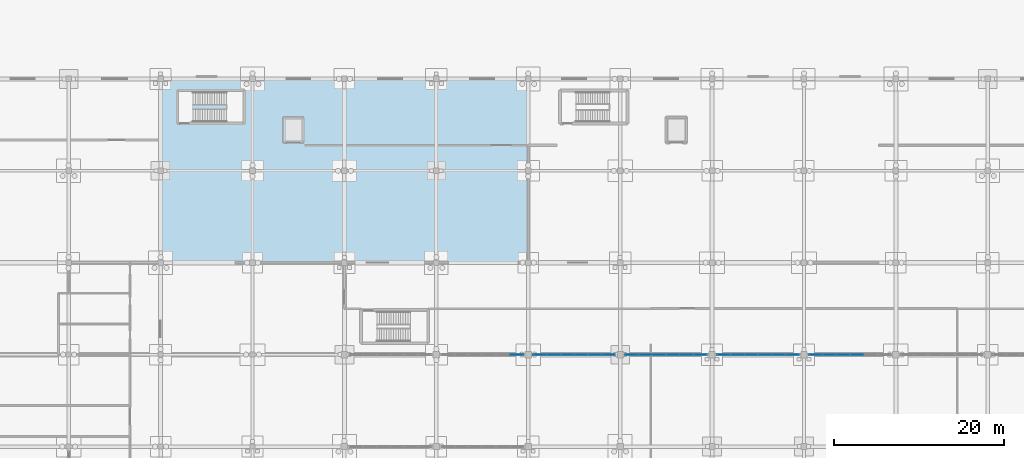
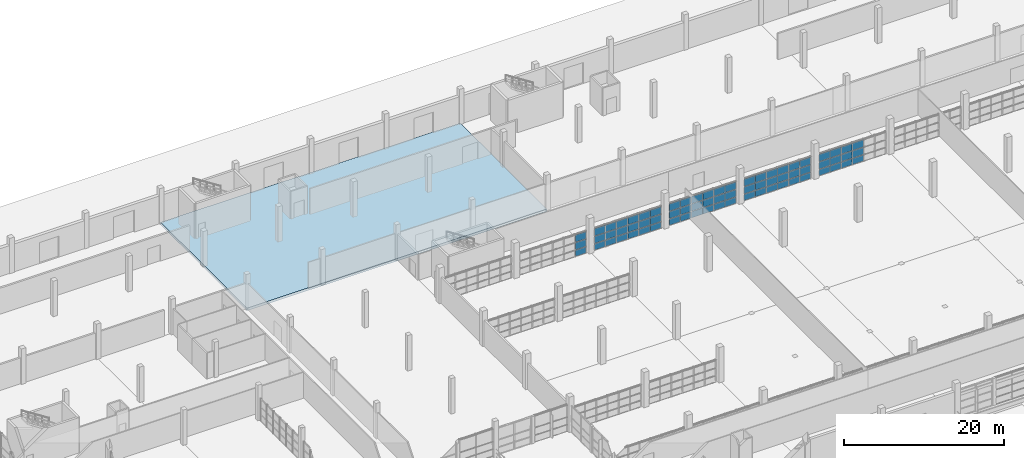
# One storey, part 91 of 138: 69 plates, 1 slab, 5 elements without a shape of their own.
"""IFC4 building model written with IfcOpenShell, lengths in metres."""

import ifcopenshell
import ifcopenshell.guid

model = None  # the IFC model being written
_history = None  # IfcOwnerHistory: only IFC2X3 demands one
_inside = {}  # id of a spatial element -> (the spatial element, [elements in it])
_under = {}  # id of a project, library or spatial element -> (it, [spatial elements below it])
_declared = {}  # id of a project -> (the project, [libraries it declares])
_typed = {}  # id of a type object -> (the type object, [elements of that type])
_made_of = {}  # id of a material, layer set ... -> (it, [elements and type objects made of it])


def new_model(schema):
    """Start an empty IFC model of exactly this schema.

    Asked for "IFC4X3", IfcOpenShell would pick the latest addendum, in which some entities
    have other attributes; the version numbers below select the first issue.
    IFC2X3 requires an IfcOwnerHistory on every rooted entity: one is made here for all.
    """
    global model, _history
    if schema == "IFC4X3":
        model = ifcopenshell.file(schema_version=(4, 3, 0, 0))
    else:
        model = ifcopenshell.file(schema=schema)
    _inside.clear()
    _under.clear()
    _declared.clear()
    _typed.clear()
    _made_of.clear()
    _history = None
    if model.schema == "IFC2X3":
        org = make("IfcOrganization", Name="unknown")
        user = make(
            "IfcPersonAndOrganization",
            ThePerson=make("IfcPerson", FamilyName="unknown"),
            TheOrganization=org,
        )
        app = make(
            "IfcApplication",
            ApplicationDeveloper=org,
            Version="unknown",
            ApplicationFullName="unknown",
            ApplicationIdentifier="unknown",
        )
        _history = make(
            "IfcOwnerHistory",
            OwningUser=user,
            OwningApplication=app,
            ChangeAction="ADDED",
            CreationDate=0,
        )
    return model


def make(cls, **values):
    """One entity of the class cls with the attributes given. An attribute that is None is left unset."""
    return model.create_entity(
        cls, **{name: value for name, value in values.items() if value is not None}
    )


def rooted(cls, **values):
    """An entity with a GlobalId (a new one), such as an element, a storey or a relation."""
    return make(cls, GlobalId=ifcopenshell.guid.new(), OwnerHistory=_history, **values)


def si_unit(unit_type, name, prefix=None):
    """IfcSIUnit, for example si_unit("LENGTHUNIT", "METRE", prefix="MILLI")."""
    return make("IfcSIUnit", UnitType=unit_type, Prefix=prefix, Name=name)


def assignment(units):
    """IfcUnitAssignment: the units of a project."""
    return None if units is None else make("IfcUnitAssignment", Units=units)


def point(xyz):
    """IfcCartesianPoint."""
    return None if xyz is None else make("IfcCartesianPoint", Coordinates=xyz)


def direction(xyz):
    """IfcDirection."""
    return None if xyz is None else make("IfcDirection", DirectionRatios=xyz)


def frame(location, z_axis=None, x_axis=None):
    """IfcAxis2Placement3D, a coordinate frame: its origin and axes. An axis left out is left unset."""
    return make(
        "IfcAxis2Placement3D",
        Location=point(location),
        Axis=direction(z_axis),
        RefDirection=direction(x_axis),
    )


def frame_2d(location, x_axis=None):
    """IfcAxis2Placement2D, a coordinate frame in the plane: its origin and x axis."""
    return make(
        "IfcAxis2Placement2D", Location=point(location), RefDirection=direction(x_axis)
    )


def origin():
    """The frame at (0, 0, 0) with its axes left unset."""
    return frame((0.0, 0.0, 0.0))


def origin_2d():
    """The frame at (0, 0) in the plane with its x axis left unset."""
    return frame_2d((0.0, 0.0))


def place(relative_to, where):
    """IfcLocalPlacement: puts the frame where relative to a parent placement (None: the world)."""
    return make(
        "IfcLocalPlacement", PlacementRelTo=relative_to, RelativePlacement=where
    )


def context(
    kind, dimensions, precision=None, world=None, true_north=None, identifier=None
):
    """IfcGeometricRepresentationContext, for example the 3D "Model" context."""
    return make(
        "IfcGeometricRepresentationContext",
        ContextIdentifier=identifier,
        ContextType=kind,
        CoordinateSpaceDimension=dimensions,
        Precision=precision,
        WorldCoordinateSystem=world,
        TrueNorth=true_north,
    )


def subcontext(parent, identifier, kind, view, scale=None):
    """IfcGeometricRepresentationSubContext, for example "Body" below "Model"."""
    return make(
        "IfcGeometricRepresentationSubContext",
        ContextIdentifier=identifier,
        ContextType=kind,
        ParentContext=parent,
        TargetScale=scale,
        TargetView=view,
    )


def project(units=None, contexts=None):
    """IfcProject with its units and contexts."""
    return rooted(
        "IfcProject",
        Name="project",
        RepresentationContexts=contexts,
        UnitsInContext=assignment(units),
    )


def spatial(cls, under=None, at=None, **own):
    """A site, building, storey or space (cls), placed at a placement, below another one or the project."""
    s = rooted(cls, ObjectPlacement=at, **own)
    if under is not None:
        _under.setdefault(under.id(), (under, []))[1].append(s)
    return s


def polyline(points):
    """IfcPolyline through the points."""
    return make("IfcPolyline", Points=[point(p) for p in points])


def profile(cls, at=None, kind="AREA", **sizes):
    """A parametric profile (cls). Its sizes go by their IFC names, for example OverallWidth=200.0."""
    return make(cls, ProfileType=kind, Position=at, **sizes)


def rectangle(**sizes):
    """IfcRectangleProfileDef."""
    return profile("IfcRectangleProfileDef", **sizes)


def outline(outer, holes=None, kind="AREA"):
    """IfcArbitraryClosedProfileDef: a profile drawn as a closed curve; with holes, ...WithVoids."""
    if holes is None:
        return make("IfcArbitraryClosedProfileDef", ProfileType=kind, OuterCurve=outer)
    return make(
        "IfcArbitraryProfileDefWithVoids",
        ProfileType=kind,
        OuterCurve=outer,
        InnerCurves=holes,
    )


def extrude(swept, where, along, depth):
    """IfcExtrudedAreaSolid: the profile swept, set in the frame where, extruded along a direction by depth."""
    return make(
        "IfcExtrudedAreaSolid",
        SweptArea=swept,
        Position=where,
        ExtrudedDirection=direction(along),
        Depth=depth,
    )


def shape(context_of_items, identifier, shape_type, items):
    """IfcShapeRepresentation: the items that make up one representation, for example the "Body"."""
    return make(
        "IfcShapeRepresentation",
        ContextOfItems=context_of_items,
        RepresentationIdentifier=identifier,
        RepresentationType=shape_type,
        Items=items,
    )


def material(Name=None, Category=None):
    """IfcMaterial."""
    return make("IfcMaterial", Name=Name, Category=Category)


def layer(
    of_material, thickness, ventilated=None, Name=None, Category=None, Priority=None
):
    """IfcMaterialLayer: one layer of a wall or slab, of a material (None: an air gap)."""
    return make(
        "IfcMaterialLayer",
        Material=of_material,
        LayerThickness=thickness,
        IsVentilated=ventilated,
        Name=Name,
        Category=Category,
        Priority=Priority,
    )


def layer_set(layers, Name=None):
    """IfcMaterialLayerSet."""
    return make("IfcMaterialLayerSet", MaterialLayers=layers, LayerSetName=Name)


def made_of(thing, what):
    """Note that an element or type object is made of a material, layer set ...; save() writes the relation."""
    if what is not None:
        _made_of.setdefault(what.id(), (what, []))[1].append(thing)
    return thing


def type_object(cls, material=None, **own):
    """A type object (cls), such as IfcWallType, which elements share."""
    return made_of(rooted(cls, **own), material)


def element(
    cls,
    number,
    at=None,
    inside=None,
    cuts=None,
    type_object=None,
    material=None,
    context=None,
    identifier="Body",
    shape_type=None,
    held_by="IfcProductDefinitionShape",
    body=None,
    shapes=None,
    **own,
):
    """One element of the class cls, such as IfcWall. Its Tag is "e" and its number.

    at: its placement. inside: the storey or other place that contains it. cuts: it is an
    opening in that element (IfcRelVoidsElement). A single representation is given by context,
    identifier, shape_type and body (its items); several are given by shapes. held_by: the class
    of the entity that holds the representations. save() writes the other relations.
    """
    e = rooted(cls, Tag="e%d" % number, ObjectPlacement=at, **own)
    if body is not None:
        shapes = [shape(context, identifier, shape_type, body)]
    if shapes is not None:
        e.Representation = make(held_by, Representations=shapes)
    if inside is not None:
        _inside.setdefault(inside.id(), (inside, []))[1].append(e)
    if cuts is not None:
        rooted(
            "IfcRelVoidsElement", RelatingBuildingElement=cuts, RelatedOpeningElement=e
        )
    if type_object is not None:
        _typed.setdefault(type_object.id(), (type_object, []))[1].append(e)
    return made_of(e, material)


def aggregate(whole, parts):
    """IfcRelAggregates: a whole, such as a stair, and the parts it consists of."""
    return rooted("IfcRelAggregates", RelatingObject=whole, RelatedObjects=parts)


def save(model, path):
    """Write the relations noted so far, then the file.

    IfcRelAggregates (storeys below a building ...), IfcRelContainedInSpatialStructure (elements
    in a storey), IfcRelDefinesByType, IfcRelAssociatesMaterial and IfcRelDeclares: one each for
    every whole, place, type object, material and project.
    """
    for whole, parts in _under.values():
        aggregate(whole, parts)
    for where, things in _inside.values():
        rooted(
            "IfcRelContainedInSpatialStructure",
            RelatedElements=things,
            RelatingStructure=where,
        )
    for kind, things in _typed.values():
        rooted("IfcRelDefinesByType", RelatedObjects=things, RelatingType=kind)
    for what, things in _made_of.values():
        rooted("IfcRelAssociatesMaterial", RelatedObjects=things, RelatingMaterial=what)
    for by, libraries in _declared.values():
        rooted("IfcRelDeclares", RelatingContext=by, RelatedDefinitions=libraries)
    model.write(path)


model = new_model("IFC4")

# Units and contexts
model_context = context("Model", 3, precision=1e-05, world=origin(), true_north=direction((0.0, 1.0)))
body_context = subcontext(model_context, "Body", "Model", "MODEL_VIEW")
ifc_project = project(units=[si_unit("LENGTHUNIT", "METRE"), si_unit("AREAUNIT", "SQUARE_METRE"), si_unit("VOLUMEUNIT", "CUBIC_METRE"), si_unit("PLANEANGLEUNIT", "RADIAN"), si_unit("MASSUNIT", "GRAM", prefix="KILO")], contexts=[model_context])

# Site, building, storey
site_placement = place(None, origin())
site = spatial("IfcSite", under=ifc_project, at=site_placement, CompositionType="ELEMENT")
building_placement = place(site_placement, origin())
building = spatial("IfcBuilding", under=site, at=building_placement, Name="Zwinboog Wholesale Market", CompositionType="ELEMENT")
storey_placement = place(building_placement, origin())
storey = spatial("IfcBuildingStorey", under=building, at=storey_placement, Name="L00", CompositionType="ELEMENT", Elevation=0.0)

# Slab
ifc_material_1 = material(Name="Precast concrete C45/55", Category="concrete")
ifc_layer_1 = layer(ifc_material_1, 0.3798828125)
ifc_layer_set_1 = layer_set([ifc_layer_1], Name="Precast concrete C45/55")
slab_type = type_object("IfcSlabType", Name="SLT-BS-380", PredefinedType="BASESLAB", material=ifc_layer_set_1)
slab_placement = place(storey_placement, frame((0.0, 0.0, -0.3798828125)))
element("IfcSlab", 1, at=slab_placement, inside=storey, type_object=slab_type, Name="SB-380 (SLB-L00-017)", PredefinedType="BASESLAB", context=body_context, shape_type="SweptSolid", body=[
    extrude(outline(polyline([(43.199951171875, 108.0), (86.39990234375, 108.0), (86.39990234375, 129.60009765625), (43.199951171875, 129.60009765625), (43.199951171875, 108.0)])), origin(), (0.0, 0.0, 1.0), 0.3798828125),
])

# Curtain wall, plates
ifc_material_2 = material(Name="Aluminium thermally broken curtain wall", Category="aluminium")
curtain_wall_type = type_object("IfcCurtainWallType", Name="CWT-INT-STALL", PredefinedType="USERDEFINED", material=ifc_material_2)
curtain_wall_1_placement = place(storey_placement, origin())
curtain_wall_1 = element("IfcCurtainWall", 2, at=curtain_wall_1_placement, inside=storey, type_object=curtain_wall_type, Name="CW-07 (CW-STL-200)", ObjectType="STOREFRONT_GLAZING", PredefinedType="USERDEFINED")
ifc_material_3 = material(Name="Tempered laminated market stall glazing", Category="glass")
ifc_layer_2 = layer(ifc_material_3, 0.01611328125)
ifc_layer_set_2 = layer_set([ifc_layer_2], Name="Tempered laminated market stall glazing")
plate_type = type_object("IfcPlateType", Name="CWP-INT-16", PredefinedType="CURTAIN_PANEL", material=ifc_layer_set_2)
plate_1_placement = place(storey_placement, frame((85.026611328125, 97.199951171875, 0.06005859375), z_axis=(0.0, 0.0, 1.0), x_axis=(1.0, 0.0, 0.0)))
plate_1 = element("IfcPlate", 3, at=plate_1_placement, type_object=plate_type, Name="CW-07 panel 6.1", PredefinedType="CURTAIN_PANEL", context=body_context, shape_type="SweptSolid", body=[
    extrude(rectangle(XDim=1.526611328125, YDim=0.01611328125, at=origin_2d()), origin(), (0.0, 0.0, 1.0), 0.9599609375),
])
plate_2_placement = place(storey_placement, frame((85.026611328125, 97.199951171875, 1.080078125), z_axis=(0.0, 0.0, 1.0), x_axis=(1.0, 0.0, 0.0)))
plate_2 = element("IfcPlate", 4, at=plate_2_placement, type_object=plate_type, Name="CW-07 panel 6.2", PredefinedType="CURTAIN_PANEL", context=body_context, shape_type="SweptSolid", body=[
    extrude(rectangle(XDim=1.526611328125, YDim=0.01611328125, at=origin_2d()), origin(), (0.0, 0.0, 1.0), 1.090087890625),
])
plate_3_placement = place(storey_placement, frame((85.026611328125, 97.199951171875, 2.22998046875), z_axis=(0.0, 0.0, 1.0), x_axis=(1.0, 0.0, 0.0)))
plate_3 = element("IfcPlate", 5, at=plate_3_placement, type_object=plate_type, Name="CW-07 panel 6.3", PredefinedType="CURTAIN_PANEL", context=body_context, shape_type="SweptSolid", body=[
    extrude(rectangle(XDim=1.526611328125, YDim=0.01611328125, at=origin_2d()), origin(), (0.0, 0.0, 1.0), 1.110107421875),
])
aggregate(curtain_wall_1, [plate_1, plate_2, plate_3])

curtain_wall_2_placement = place(storey_placement, origin())
curtain_wall_2 = element("IfcCurtainWall", 6, at=curtain_wall_2_placement, inside=storey, type_object=curtain_wall_type, Name="CW-07 (CW-STL-201)", ObjectType="STOREFRONT_GLAZING", PredefinedType="USERDEFINED")
plate_4_placement = place(storey_placement, frame((87.7734375, 97.199951171875, 0.06005859375), z_axis=(0.0, 0.0, 1.0), x_axis=(1.0, 0.0, 0.0)))
plate_4 = element("IfcPlate", 7, at=plate_4_placement, type_object=plate_type, Name="CW-07 panel 1.1", PredefinedType="CURTAIN_PANEL", context=body_context, shape_type="SweptSolid", body=[
    extrude(rectangle(XDim=1.526611328125, YDim=0.01611328125, at=origin_2d()), origin(), (0.0, 0.0, 1.0), 0.9599609375),
])
plate_5_placement = place(storey_placement, frame((87.7734375, 97.199951171875, 1.080078125), z_axis=(0.0, 0.0, 1.0), x_axis=(1.0, 0.0, 0.0)))
plate_5 = element("IfcPlate", 8, at=plate_5_placement, type_object=plate_type, Name="CW-07 panel 1.2", PredefinedType="CURTAIN_PANEL", context=body_context, shape_type="SweptSolid", body=[
    extrude(rectangle(XDim=1.526611328125, YDim=0.01611328125, at=origin_2d()), origin(), (0.0, 0.0, 1.0), 1.090087890625),
])
plate_6_placement = place(storey_placement, frame((87.7734375, 97.199951171875, 2.22998046875), z_axis=(0.0, 0.0, 1.0), x_axis=(1.0, 0.0, 0.0)))
plate_6 = element("IfcPlate", 9, at=plate_6_placement, type_object=plate_type, Name="CW-07 panel 1.3", PredefinedType="CURTAIN_PANEL", context=body_context, shape_type="SweptSolid", body=[
    extrude(rectangle(XDim=1.526611328125, YDim=0.01611328125, at=origin_2d()), origin(), (0.0, 0.0, 1.0), 1.110107421875),
])
plate_7_placement = place(storey_placement, frame((89.375, 97.199951171875, 0.06005859375), z_axis=(0.0, 0.0, 1.0), x_axis=(1.0, 0.0, 0.0)))
plate_7 = element("IfcPlate", 10, at=plate_7_placement, type_object=plate_type, Name="CW-07 panel 2.1", PredefinedType="CURTAIN_PANEL", context=body_context, shape_type="SweptSolid", body=[
    extrude(rectangle(XDim=1.556640625, YDim=0.01611328125, at=origin_2d()), origin(), (0.0, 0.0, 1.0), 0.9599609375),
])
plate_8_placement = place(storey_placement, frame((89.375, 97.199951171875, 1.080078125), z_axis=(0.0, 0.0, 1.0), x_axis=(1.0, 0.0, 0.0)))
plate_8 = element("IfcPlate", 11, at=plate_8_placement, type_object=plate_type, Name="CW-07 panel 2.2", PredefinedType="CURTAIN_PANEL", context=body_context, shape_type="SweptSolid", body=[
    extrude(rectangle(XDim=1.556640625, YDim=0.01611328125, at=origin_2d()), origin(), (0.0, 0.0, 1.0), 1.090087890625),
])
plate_9_placement = place(storey_placement, frame((89.375, 97.199951171875, 2.22998046875), z_axis=(0.0, 0.0, 1.0), x_axis=(1.0, 0.0, 0.0)))
plate_9 = element("IfcPlate", 12, at=plate_9_placement, type_object=plate_type, Name="CW-07 panel 2.3", PredefinedType="CURTAIN_PANEL", context=body_context, shape_type="SweptSolid", body=[
    extrude(rectangle(XDim=1.556640625, YDim=0.01611328125, at=origin_2d()), origin(), (0.0, 0.0, 1.0), 1.110107421875),
])
plate_10_placement = place(storey_placement, frame((90.99169921875, 97.199951171875, 0.06005859375), z_axis=(0.0, 0.0, 1.0), x_axis=(1.0, 0.0, 0.0)))
plate_10 = element("IfcPlate", 13, at=plate_10_placement, type_object=plate_type, Name="CW-07 panel 3.1", PredefinedType="CURTAIN_PANEL", context=body_context, shape_type="SweptSolid", body=[
    extrude(rectangle(XDim=1.556640625, YDim=0.01611328125, at=origin_2d()), origin(), (0.0, 0.0, 1.0), 0.9599609375),
])
plate_11_placement = place(storey_placement, frame((90.99169921875, 97.199951171875, 1.080078125), z_axis=(0.0, 0.0, 1.0), x_axis=(1.0, 0.0, 0.0)))
plate_11 = element("IfcPlate", 14, at=plate_11_placement, type_object=plate_type, Name="CW-07 panel 3.2", PredefinedType="CURTAIN_PANEL", context=body_context, shape_type="SweptSolid", body=[
    extrude(rectangle(XDim=1.556640625, YDim=0.01611328125, at=origin_2d()), origin(), (0.0, 0.0, 1.0), 1.090087890625),
])
plate_12_placement = place(storey_placement, frame((90.99169921875, 97.199951171875, 2.22998046875), z_axis=(0.0, 0.0, 1.0), x_axis=(1.0, 0.0, 0.0)))
plate_12 = element("IfcPlate", 15, at=plate_12_placement, type_object=plate_type, Name="CW-07 panel 3.3", PredefinedType="CURTAIN_PANEL", context=body_context, shape_type="SweptSolid", body=[
    extrude(rectangle(XDim=1.556640625, YDim=0.01611328125, at=origin_2d()), origin(), (0.0, 0.0, 1.0), 1.110107421875),
])
plate_13_placement = place(storey_placement, frame((92.6083984375, 97.199951171875, 0.06005859375), z_axis=(0.0, 0.0, 1.0), x_axis=(1.0, 0.0, 0.0)))
plate_13 = element("IfcPlate", 16, at=plate_13_placement, type_object=plate_type, Name="CW-07 panel 4.1", PredefinedType="CURTAIN_PANEL", context=body_context, shape_type="SweptSolid", body=[
    extrude(rectangle(XDim=1.556640625, YDim=0.01611328125, at=origin_2d()), origin(), (0.0, 0.0, 1.0), 0.9599609375),
])
plate_14_placement = place(storey_placement, frame((92.6083984375, 97.199951171875, 1.080078125), z_axis=(0.0, 0.0, 1.0), x_axis=(1.0, 0.0, 0.0)))
plate_14 = element("IfcPlate", 17, at=plate_14_placement, type_object=plate_type, Name="CW-07 panel 4.2", PredefinedType="CURTAIN_PANEL", context=body_context, shape_type="SweptSolid", body=[
    extrude(rectangle(XDim=1.556640625, YDim=0.01611328125, at=origin_2d()), origin(), (0.0, 0.0, 1.0), 1.090087890625),
])
plate_15_placement = place(storey_placement, frame((92.6083984375, 97.199951171875, 2.22998046875), z_axis=(0.0, 0.0, 1.0), x_axis=(1.0, 0.0, 0.0)))
plate_15 = element("IfcPlate", 18, at=plate_15_placement, type_object=plate_type, Name="CW-07 panel 4.3", PredefinedType="CURTAIN_PANEL", context=body_context, shape_type="SweptSolid", body=[
    extrude(rectangle(XDim=1.556640625, YDim=0.01611328125, at=origin_2d()), origin(), (0.0, 0.0, 1.0), 1.110107421875),
])
plate_16_placement = place(storey_placement, frame((94.22509765625, 97.199951171875, 0.06005859375), z_axis=(0.0, 0.0, 1.0), x_axis=(1.0, 0.0, 0.0)))
plate_16 = element("IfcPlate", 19, at=plate_16_placement, type_object=plate_type, Name="CW-07 panel 5.1", PredefinedType="CURTAIN_PANEL", context=body_context, shape_type="SweptSolid", body=[
    extrude(rectangle(XDim=1.556640625, YDim=0.01611328125, at=origin_2d()), origin(), (0.0, 0.0, 1.0), 0.9599609375),
])
plate_17_placement = place(storey_placement, frame((94.22509765625, 97.199951171875, 1.080078125), z_axis=(0.0, 0.0, 1.0), x_axis=(1.0, 0.0, 0.0)))
plate_17 = element("IfcPlate", 20, at=plate_17_placement, type_object=plate_type, Name="CW-07 panel 5.2", PredefinedType="CURTAIN_PANEL", context=body_context, shape_type="SweptSolid", body=[
    extrude(rectangle(XDim=1.556640625, YDim=0.01611328125, at=origin_2d()), origin(), (0.0, 0.0, 1.0), 1.090087890625),
])
plate_18_placement = place(storey_placement, frame((94.22509765625, 97.199951171875, 2.22998046875), z_axis=(0.0, 0.0, 1.0), x_axis=(1.0, 0.0, 0.0)))
plate_18 = element("IfcPlate", 21, at=plate_18_placement, type_object=plate_type, Name="CW-07 panel 5.3", PredefinedType="CURTAIN_PANEL", context=body_context, shape_type="SweptSolid", body=[
    extrude(rectangle(XDim=1.556640625, YDim=0.01611328125, at=origin_2d()), origin(), (0.0, 0.0, 1.0), 1.110107421875),
])
plate_19_placement = place(storey_placement, frame((95.82666015625, 97.199951171875, 0.06005859375), z_axis=(0.0, 0.0, 1.0), x_axis=(1.0, 0.0, 0.0)))
plate_19 = element("IfcPlate", 22, at=plate_19_placement, type_object=plate_type, Name="CW-07 panel 6.1", PredefinedType="CURTAIN_PANEL", context=body_context, shape_type="SweptSolid", body=[
    extrude(rectangle(XDim=1.526611328125, YDim=0.01611328125, at=origin_2d()), origin(), (0.0, 0.0, 1.0), 0.9599609375),
])
plate_20_placement = place(storey_placement, frame((95.82666015625, 97.199951171875, 1.080078125), z_axis=(0.0, 0.0, 1.0), x_axis=(1.0, 0.0, 0.0)))
plate_20 = element("IfcPlate", 23, at=plate_20_placement, type_object=plate_type, Name="CW-07 panel 6.2", PredefinedType="CURTAIN_PANEL", context=body_context, shape_type="SweptSolid", body=[
    extrude(rectangle(XDim=1.526611328125, YDim=0.01611328125, at=origin_2d()), origin(), (0.0, 0.0, 1.0), 1.090087890625),
])
plate_21_placement = place(storey_placement, frame((95.82666015625, 97.199951171875, 2.22998046875), z_axis=(0.0, 0.0, 1.0), x_axis=(1.0, 0.0, 0.0)))
plate_21 = element("IfcPlate", 24, at=plate_21_placement, type_object=plate_type, Name="CW-07 panel 6.3", PredefinedType="CURTAIN_PANEL", context=body_context, shape_type="SweptSolid", body=[
    extrude(rectangle(XDim=1.526611328125, YDim=0.01611328125, at=origin_2d()), origin(), (0.0, 0.0, 1.0), 1.110107421875),
])
aggregate(curtain_wall_2, [plate_4, plate_5, plate_6, plate_7, plate_8, plate_9, plate_10, plate_11, plate_12, plate_13, plate_14, plate_15, plate_16, plate_17, plate_18, plate_19, plate_20, plate_21])

curtain_wall_3_placement = place(storey_placement, origin())
curtain_wall_3 = element("IfcCurtainWall", 25, at=curtain_wall_3_placement, inside=storey, type_object=curtain_wall_type, Name="CW-07 (CW-STL-202)", ObjectType="STOREFRONT_GLAZING", PredefinedType="USERDEFINED")
plate_22_placement = place(storey_placement, frame((98.5732421875, 97.199951171875, 0.06005859375), z_axis=(0.0, 0.0, 1.0), x_axis=(1.0, 0.0, 0.0)))
plate_22 = element("IfcPlate", 26, at=plate_22_placement, type_object=plate_type, Name="CW-07 panel 1.1", PredefinedType="CURTAIN_PANEL", context=body_context, shape_type="SweptSolid", body=[
    extrude(rectangle(XDim=1.526611328125, YDim=0.01611328125, at=origin_2d()), origin(), (0.0, 0.0, 1.0), 0.9599609375),
])
plate_23_placement = place(storey_placement, frame((98.5732421875, 97.199951171875, 1.080078125), z_axis=(0.0, 0.0, 1.0), x_axis=(1.0, 0.0, 0.0)))
plate_23 = element("IfcPlate", 27, at=plate_23_placement, type_object=plate_type, Name="CW-07 panel 1.2", PredefinedType="CURTAIN_PANEL", context=body_context, shape_type="SweptSolid", body=[
    extrude(rectangle(XDim=1.526611328125, YDim=0.01611328125, at=origin_2d()), origin(), (0.0, 0.0, 1.0), 1.090087890625),
])
plate_24_placement = place(storey_placement, frame((98.5732421875, 97.199951171875, 2.22998046875), z_axis=(0.0, 0.0, 1.0), x_axis=(1.0, 0.0, 0.0)))
plate_24 = element("IfcPlate", 28, at=plate_24_placement, type_object=plate_type, Name="CW-07 panel 1.3", PredefinedType="CURTAIN_PANEL", context=body_context, shape_type="SweptSolid", body=[
    extrude(rectangle(XDim=1.526611328125, YDim=0.01611328125, at=origin_2d()), origin(), (0.0, 0.0, 1.0), 1.110107421875),
])
plate_25_placement = place(storey_placement, frame((100.175048828125, 97.199951171875, 0.06005859375), z_axis=(0.0, 0.0, 1.0), x_axis=(1.0, 0.0, 0.0)))
plate_25 = element("IfcPlate", 29, at=plate_25_placement, type_object=plate_type, Name="CW-07 panel 2.1", PredefinedType="CURTAIN_PANEL", context=body_context, shape_type="SweptSolid", body=[
    extrude(rectangle(XDim=1.556640625, YDim=0.01611328125, at=origin_2d()), origin(), (0.0, 0.0, 1.0), 0.9599609375),
])
plate_26_placement = place(storey_placement, frame((100.175048828125, 97.199951171875, 1.080078125), z_axis=(0.0, 0.0, 1.0), x_axis=(1.0, 0.0, 0.0)))
plate_26 = element("IfcPlate", 30, at=plate_26_placement, type_object=plate_type, Name="CW-07 panel 2.2", PredefinedType="CURTAIN_PANEL", context=body_context, shape_type="SweptSolid", body=[
    extrude(rectangle(XDim=1.556640625, YDim=0.01611328125, at=origin_2d()), origin(), (0.0, 0.0, 1.0), 1.090087890625),
])
plate_27_placement = place(storey_placement, frame((100.175048828125, 97.199951171875, 2.22998046875), z_axis=(0.0, 0.0, 1.0), x_axis=(1.0, 0.0, 0.0)))
plate_27 = element("IfcPlate", 31, at=plate_27_placement, type_object=plate_type, Name="CW-07 panel 2.3", PredefinedType="CURTAIN_PANEL", context=body_context, shape_type="SweptSolid", body=[
    extrude(rectangle(XDim=1.556640625, YDim=0.01611328125, at=origin_2d()), origin(), (0.0, 0.0, 1.0), 1.110107421875),
])
plate_28_placement = place(storey_placement, frame((101.791748046875, 97.199951171875, 0.06005859375), z_axis=(0.0, 0.0, 1.0), x_axis=(1.0, 0.0, 0.0)))
plate_28 = element("IfcPlate", 32, at=plate_28_placement, type_object=plate_type, Name="CW-07 panel 3.1", PredefinedType="CURTAIN_PANEL", context=body_context, shape_type="SweptSolid", body=[
    extrude(rectangle(XDim=1.556640625, YDim=0.01611328125, at=origin_2d()), origin(), (0.0, 0.0, 1.0), 0.9599609375),
])
plate_29_placement = place(storey_placement, frame((101.791748046875, 97.199951171875, 1.080078125), z_axis=(0.0, 0.0, 1.0), x_axis=(1.0, 0.0, 0.0)))
plate_29 = element("IfcPlate", 33, at=plate_29_placement, type_object=plate_type, Name="CW-07 panel 3.2", PredefinedType="CURTAIN_PANEL", context=body_context, shape_type="SweptSolid", body=[
    extrude(rectangle(XDim=1.556640625, YDim=0.01611328125, at=origin_2d()), origin(), (0.0, 0.0, 1.0), 1.090087890625),
])
plate_30_placement = place(storey_placement, frame((101.791748046875, 97.199951171875, 2.22998046875), z_axis=(0.0, 0.0, 1.0), x_axis=(1.0, 0.0, 0.0)))
plate_30 = element("IfcPlate", 34, at=plate_30_placement, type_object=plate_type, Name="CW-07 panel 3.3", PredefinedType="CURTAIN_PANEL", context=body_context, shape_type="SweptSolid", body=[
    extrude(rectangle(XDim=1.556640625, YDim=0.01611328125, at=origin_2d()), origin(), (0.0, 0.0, 1.0), 1.110107421875),
])
plate_31_placement = place(storey_placement, frame((103.408447265625, 97.199951171875, 0.06005859375), z_axis=(0.0, 0.0, 1.0), x_axis=(1.0, 0.0, 0.0)))
plate_31 = element("IfcPlate", 35, at=plate_31_placement, type_object=plate_type, Name="CW-07 panel 4.1", PredefinedType="CURTAIN_PANEL", context=body_context, shape_type="SweptSolid", body=[
    extrude(rectangle(XDim=1.556640625, YDim=0.01611328125, at=origin_2d()), origin(), (0.0, 0.0, 1.0), 0.9599609375),
])
plate_32_placement = place(storey_placement, frame((103.408447265625, 97.199951171875, 1.080078125), z_axis=(0.0, 0.0, 1.0), x_axis=(1.0, 0.0, 0.0)))
plate_32 = element("IfcPlate", 36, at=plate_32_placement, type_object=plate_type, Name="CW-07 panel 4.2", PredefinedType="CURTAIN_PANEL", context=body_context, shape_type="SweptSolid", body=[
    extrude(rectangle(XDim=1.556640625, YDim=0.01611328125, at=origin_2d()), origin(), (0.0, 0.0, 1.0), 1.090087890625),
])
plate_33_placement = place(storey_placement, frame((103.408447265625, 97.199951171875, 2.22998046875), z_axis=(0.0, 0.0, 1.0), x_axis=(1.0, 0.0, 0.0)))
plate_33 = element("IfcPlate", 37, at=plate_33_placement, type_object=plate_type, Name="CW-07 panel 4.3", PredefinedType="CURTAIN_PANEL", context=body_context, shape_type="SweptSolid", body=[
    extrude(rectangle(XDim=1.556640625, YDim=0.01611328125, at=origin_2d()), origin(), (0.0, 0.0, 1.0), 1.110107421875),
])
plate_34_placement = place(storey_placement, frame((105.02490234375, 97.199951171875, 0.06005859375), z_axis=(0.0, 0.0, 1.0), x_axis=(1.0, 0.0, 0.0)))
plate_34 = element("IfcPlate", 38, at=plate_34_placement, type_object=plate_type, Name="CW-07 panel 5.1", PredefinedType="CURTAIN_PANEL", context=body_context, shape_type="SweptSolid", body=[
    extrude(rectangle(XDim=1.556640625, YDim=0.01611328125, at=origin_2d()), origin(), (0.0, 0.0, 1.0), 0.9599609375),
])
plate_35_placement = place(storey_placement, frame((105.02490234375, 97.199951171875, 1.080078125), z_axis=(0.0, 0.0, 1.0), x_axis=(1.0, 0.0, 0.0)))
plate_35 = element("IfcPlate", 39, at=plate_35_placement, type_object=plate_type, Name="CW-07 panel 5.2", PredefinedType="CURTAIN_PANEL", context=body_context, shape_type="SweptSolid", body=[
    extrude(rectangle(XDim=1.556640625, YDim=0.01611328125, at=origin_2d()), origin(), (0.0, 0.0, 1.0), 1.090087890625),
])
plate_36_placement = place(storey_placement, frame((105.02490234375, 97.199951171875, 2.22998046875), z_axis=(0.0, 0.0, 1.0), x_axis=(1.0, 0.0, 0.0)))
plate_36 = element("IfcPlate", 40, at=plate_36_placement, type_object=plate_type, Name="CW-07 panel 5.3", PredefinedType="CURTAIN_PANEL", context=body_context, shape_type="SweptSolid", body=[
    extrude(rectangle(XDim=1.556640625, YDim=0.01611328125, at=origin_2d()), origin(), (0.0, 0.0, 1.0), 1.110107421875),
])
plate_37_placement = place(storey_placement, frame((106.626708984375, 97.199951171875, 0.06005859375), z_axis=(0.0, 0.0, 1.0), x_axis=(1.0, 0.0, 0.0)))
plate_37 = element("IfcPlate", 41, at=plate_37_placement, type_object=plate_type, Name="CW-07 panel 6.1", PredefinedType="CURTAIN_PANEL", context=body_context, shape_type="SweptSolid", body=[
    extrude(rectangle(XDim=1.526611328125, YDim=0.01611328125, at=origin_2d()), origin(), (0.0, 0.0, 1.0), 0.9599609375),
])
plate_38_placement = place(storey_placement, frame((106.626708984375, 97.199951171875, 1.080078125), z_axis=(0.0, 0.0, 1.0), x_axis=(1.0, 0.0, 0.0)))
plate_38 = element("IfcPlate", 42, at=plate_38_placement, type_object=plate_type, Name="CW-07 panel 6.2", PredefinedType="CURTAIN_PANEL", context=body_context, shape_type="SweptSolid", body=[
    extrude(rectangle(XDim=1.526611328125, YDim=0.01611328125, at=origin_2d()), origin(), (0.0, 0.0, 1.0), 1.090087890625),
])
plate_39_placement = place(storey_placement, frame((106.626708984375, 97.199951171875, 2.22998046875), z_axis=(0.0, 0.0, 1.0), x_axis=(1.0, 0.0, 0.0)))
plate_39 = element("IfcPlate", 43, at=plate_39_placement, type_object=plate_type, Name="CW-07 panel 6.3", PredefinedType="CURTAIN_PANEL", context=body_context, shape_type="SweptSolid", body=[
    extrude(rectangle(XDim=1.526611328125, YDim=0.01611328125, at=origin_2d()), origin(), (0.0, 0.0, 1.0), 1.110107421875),
])
aggregate(curtain_wall_3, [plate_22, plate_23, plate_24, plate_25, plate_26, plate_27, plate_28, plate_29, plate_30, plate_31, plate_32, plate_33, plate_34, plate_35, plate_36, plate_37, plate_38, plate_39])

curtain_wall_4_placement = place(storey_placement, origin())
curtain_wall_4 = element("IfcCurtainWall", 44, at=curtain_wall_4_placement, inside=storey, type_object=curtain_wall_type, Name="CW-07 (CW-STL-203)", ObjectType="STOREFRONT_GLAZING", PredefinedType="USERDEFINED")
plate_40_placement = place(storey_placement, frame((109.373291015625, 97.199951171875, 0.06005859375), z_axis=(0.0, 0.0, 1.0), x_axis=(1.0, 0.0, 0.0)))
plate_40 = element("IfcPlate", 45, at=plate_40_placement, type_object=plate_type, Name="CW-07 panel 1.1", PredefinedType="CURTAIN_PANEL", context=body_context, shape_type="SweptSolid", body=[
    extrude(rectangle(XDim=1.526611328125, YDim=0.01611328125, at=origin_2d()), origin(), (0.0, 0.0, 1.0), 0.9599609375),
])
plate_41_placement = place(storey_placement, frame((109.373291015625, 97.199951171875, 1.080078125), z_axis=(0.0, 0.0, 1.0), x_axis=(1.0, 0.0, 0.0)))
plate_41 = element("IfcPlate", 46, at=plate_41_placement, type_object=plate_type, Name="CW-07 panel 1.2", PredefinedType="CURTAIN_PANEL", context=body_context, shape_type="SweptSolid", body=[
    extrude(rectangle(XDim=1.526611328125, YDim=0.01611328125, at=origin_2d()), origin(), (0.0, 0.0, 1.0), 1.090087890625),
])
plate_42_placement = place(storey_placement, frame((109.373291015625, 97.199951171875, 2.22998046875), z_axis=(0.0, 0.0, 1.0), x_axis=(1.0, 0.0, 0.0)))
plate_42 = element("IfcPlate", 47, at=plate_42_placement, type_object=plate_type, Name="CW-07 panel 1.3", PredefinedType="CURTAIN_PANEL", context=body_context, shape_type="SweptSolid", body=[
    extrude(rectangle(XDim=1.526611328125, YDim=0.01611328125, at=origin_2d()), origin(), (0.0, 0.0, 1.0), 1.110107421875),
])
plate_43_placement = place(storey_placement, frame((110.97509765625, 97.199951171875, 0.06005859375), z_axis=(0.0, 0.0, 1.0), x_axis=(1.0, 0.0, 0.0)))
plate_43 = element("IfcPlate", 48, at=plate_43_placement, type_object=plate_type, Name="CW-07 panel 2.1", PredefinedType="CURTAIN_PANEL", context=body_context, shape_type="SweptSolid", body=[
    extrude(rectangle(XDim=1.556640625, YDim=0.01611328125, at=origin_2d()), origin(), (0.0, 0.0, 1.0), 0.9599609375),
])
plate_44_placement = place(storey_placement, frame((110.97509765625, 97.199951171875, 1.080078125), z_axis=(0.0, 0.0, 1.0), x_axis=(1.0, 0.0, 0.0)))
plate_44 = element("IfcPlate", 49, at=plate_44_placement, type_object=plate_type, Name="CW-07 panel 2.2", PredefinedType="CURTAIN_PANEL", context=body_context, shape_type="SweptSolid", body=[
    extrude(rectangle(XDim=1.556640625, YDim=0.01611328125, at=origin_2d()), origin(), (0.0, 0.0, 1.0), 1.090087890625),
])
plate_45_placement = place(storey_placement, frame((110.97509765625, 97.199951171875, 2.22998046875), z_axis=(0.0, 0.0, 1.0), x_axis=(1.0, 0.0, 0.0)))
plate_45 = element("IfcPlate", 50, at=plate_45_placement, type_object=plate_type, Name="CW-07 panel 2.3", PredefinedType="CURTAIN_PANEL", context=body_context, shape_type="SweptSolid", body=[
    extrude(rectangle(XDim=1.556640625, YDim=0.01611328125, at=origin_2d()), origin(), (0.0, 0.0, 1.0), 1.110107421875),
])
plate_46_placement = place(storey_placement, frame((112.591552734375, 97.199951171875, 0.06005859375), z_axis=(0.0, 0.0, 1.0), x_axis=(1.0, 0.0, 0.0)))
plate_46 = element("IfcPlate", 51, at=plate_46_placement, type_object=plate_type, Name="CW-07 panel 3.1", PredefinedType="CURTAIN_PANEL", context=body_context, shape_type="SweptSolid", body=[
    extrude(rectangle(XDim=1.556640625, YDim=0.01611328125, at=origin_2d()), origin(), (0.0, 0.0, 1.0), 0.9599609375),
])
plate_47_placement = place(storey_placement, frame((112.591552734375, 97.199951171875, 1.080078125), z_axis=(0.0, 0.0, 1.0), x_axis=(1.0, 0.0, 0.0)))
plate_47 = element("IfcPlate", 52, at=plate_47_placement, type_object=plate_type, Name="CW-07 panel 3.2", PredefinedType="CURTAIN_PANEL", context=body_context, shape_type="SweptSolid", body=[
    extrude(rectangle(XDim=1.556640625, YDim=0.01611328125, at=origin_2d()), origin(), (0.0, 0.0, 1.0), 1.090087890625),
])
plate_48_placement = place(storey_placement, frame((112.591552734375, 97.199951171875, 2.22998046875), z_axis=(0.0, 0.0, 1.0), x_axis=(1.0, 0.0, 0.0)))
plate_48 = element("IfcPlate", 53, at=plate_48_placement, type_object=plate_type, Name="CW-07 panel 3.3", PredefinedType="CURTAIN_PANEL", context=body_context, shape_type="SweptSolid", body=[
    extrude(rectangle(XDim=1.556640625, YDim=0.01611328125, at=origin_2d()), origin(), (0.0, 0.0, 1.0), 1.110107421875),
])
plate_49_placement = place(storey_placement, frame((114.208251953125, 97.199951171875, 0.06005859375), z_axis=(0.0, 0.0, 1.0), x_axis=(1.0, 0.0, 0.0)))
plate_49 = element("IfcPlate", 54, at=plate_49_placement, type_object=plate_type, Name="CW-07 panel 4.1", PredefinedType="CURTAIN_PANEL", context=body_context, shape_type="SweptSolid", body=[
    extrude(rectangle(XDim=1.556640625, YDim=0.01611328125, at=origin_2d()), origin(), (0.0, 0.0, 1.0), 0.9599609375),
])
plate_50_placement = place(storey_placement, frame((114.208251953125, 97.199951171875, 1.080078125), z_axis=(0.0, 0.0, 1.0), x_axis=(1.0, 0.0, 0.0)))
plate_50 = element("IfcPlate", 55, at=plate_50_placement, type_object=plate_type, Name="CW-07 panel 4.2", PredefinedType="CURTAIN_PANEL", context=body_context, shape_type="SweptSolid", body=[
    extrude(rectangle(XDim=1.556640625, YDim=0.01611328125, at=origin_2d()), origin(), (0.0, 0.0, 1.0), 1.090087890625),
])
plate_51_placement = place(storey_placement, frame((114.208251953125, 97.199951171875, 2.22998046875), z_axis=(0.0, 0.0, 1.0), x_axis=(1.0, 0.0, 0.0)))
plate_51 = element("IfcPlate", 56, at=plate_51_placement, type_object=plate_type, Name="CW-07 panel 4.3", PredefinedType="CURTAIN_PANEL", context=body_context, shape_type="SweptSolid", body=[
    extrude(rectangle(XDim=1.556640625, YDim=0.01611328125, at=origin_2d()), origin(), (0.0, 0.0, 1.0), 1.110107421875),
])
plate_52_placement = place(storey_placement, frame((115.824951171875, 97.199951171875, 0.06005859375), z_axis=(0.0, 0.0, 1.0), x_axis=(1.0, 0.0, 0.0)))
plate_52 = element("IfcPlate", 57, at=plate_52_placement, type_object=plate_type, Name="CW-07 panel 5.1", PredefinedType="CURTAIN_PANEL", context=body_context, shape_type="SweptSolid", body=[
    extrude(rectangle(XDim=1.556640625, YDim=0.01611328125, at=origin_2d()), origin(), (0.0, 0.0, 1.0), 0.9599609375),
])
plate_53_placement = place(storey_placement, frame((115.824951171875, 97.199951171875, 1.080078125), z_axis=(0.0, 0.0, 1.0), x_axis=(1.0, 0.0, 0.0)))
plate_53 = element("IfcPlate", 58, at=plate_53_placement, type_object=plate_type, Name="CW-07 panel 5.2", PredefinedType="CURTAIN_PANEL", context=body_context, shape_type="SweptSolid", body=[
    extrude(rectangle(XDim=1.556640625, YDim=0.01611328125, at=origin_2d()), origin(), (0.0, 0.0, 1.0), 1.090087890625),
])
plate_54_placement = place(storey_placement, frame((115.824951171875, 97.199951171875, 2.22998046875), z_axis=(0.0, 0.0, 1.0), x_axis=(1.0, 0.0, 0.0)))
plate_54 = element("IfcPlate", 59, at=plate_54_placement, type_object=plate_type, Name="CW-07 panel 5.3", PredefinedType="CURTAIN_PANEL", context=body_context, shape_type="SweptSolid", body=[
    extrude(rectangle(XDim=1.556640625, YDim=0.01611328125, at=origin_2d()), origin(), (0.0, 0.0, 1.0), 1.110107421875),
])
plate_55_placement = place(storey_placement, frame((117.4267578125, 97.199951171875, 0.06005859375), z_axis=(0.0, 0.0, 1.0), x_axis=(1.0, 0.0, 0.0)))
plate_55 = element("IfcPlate", 60, at=plate_55_placement, type_object=plate_type, Name="CW-07 panel 6.1", PredefinedType="CURTAIN_PANEL", context=body_context, shape_type="SweptSolid", body=[
    extrude(rectangle(XDim=1.526611328125, YDim=0.01611328125, at=origin_2d()), origin(), (0.0, 0.0, 1.0), 0.9599609375),
])
plate_56_placement = place(storey_placement, frame((117.4267578125, 97.199951171875, 1.080078125), z_axis=(0.0, 0.0, 1.0), x_axis=(1.0, 0.0, 0.0)))
plate_56 = element("IfcPlate", 61, at=plate_56_placement, type_object=plate_type, Name="CW-07 panel 6.2", PredefinedType="CURTAIN_PANEL", context=body_context, shape_type="SweptSolid", body=[
    extrude(rectangle(XDim=1.526611328125, YDim=0.01611328125, at=origin_2d()), origin(), (0.0, 0.0, 1.0), 1.090087890625),
])
plate_57_placement = place(storey_placement, frame((117.4267578125, 97.199951171875, 2.22998046875), z_axis=(0.0, 0.0, 1.0), x_axis=(1.0, 0.0, 0.0)))
plate_57 = element("IfcPlate", 62, at=plate_57_placement, type_object=plate_type, Name="CW-07 panel 6.3", PredefinedType="CURTAIN_PANEL", context=body_context, shape_type="SweptSolid", body=[
    extrude(rectangle(XDim=1.526611328125, YDim=0.01611328125, at=origin_2d()), origin(), (0.0, 0.0, 1.0), 1.110107421875),
])
aggregate(curtain_wall_4, [plate_40, plate_41, plate_42, plate_43, plate_44, plate_45, plate_46, plate_47, plate_48, plate_49, plate_50, plate_51, plate_52, plate_53, plate_54, plate_55, plate_56, plate_57])

curtain_wall_5_placement = place(storey_placement, origin())
curtain_wall_5 = element("IfcCurtainWall", 63, at=curtain_wall_5_placement, inside=storey, type_object=curtain_wall_type, Name="CW-07 (CW-STL-204)", ObjectType="STOREFRONT_GLAZING", PredefinedType="USERDEFINED")
plate_58_placement = place(storey_placement, frame((120.17333984375, 97.199951171875, 0.06005859375), z_axis=(0.0, 0.0, 1.0), x_axis=(1.0, 0.0, 0.0)))
plate_58 = element("IfcPlate", 64, at=plate_58_placement, type_object=plate_type, Name="CW-07 panel 1.1", PredefinedType="CURTAIN_PANEL", context=body_context, shape_type="SweptSolid", body=[
    extrude(rectangle(XDim=1.526611328125, YDim=0.01611328125, at=origin_2d()), origin(), (0.0, 0.0, 1.0), 0.9599609375),
])
plate_59_placement = place(storey_placement, frame((120.17333984375, 97.199951171875, 1.080078125), z_axis=(0.0, 0.0, 1.0), x_axis=(1.0, 0.0, 0.0)))
plate_59 = element("IfcPlate", 65, at=plate_59_placement, type_object=plate_type, Name="CW-07 panel 1.2", PredefinedType="CURTAIN_PANEL", context=body_context, shape_type="SweptSolid", body=[
    extrude(rectangle(XDim=1.526611328125, YDim=0.01611328125, at=origin_2d()), origin(), (0.0, 0.0, 1.0), 1.090087890625),
])
plate_60_placement = place(storey_placement, frame((120.17333984375, 97.199951171875, 2.22998046875), z_axis=(0.0, 0.0, 1.0), x_axis=(1.0, 0.0, 0.0)))
plate_60 = element("IfcPlate", 66, at=plate_60_placement, type_object=plate_type, Name="CW-07 panel 1.3", PredefinedType="CURTAIN_PANEL", context=body_context, shape_type="SweptSolid", body=[
    extrude(rectangle(XDim=1.526611328125, YDim=0.01611328125, at=origin_2d()), origin(), (0.0, 0.0, 1.0), 1.110107421875),
])
plate_61_placement = place(storey_placement, frame((121.77490234375, 97.199951171875, 0.06005859375), z_axis=(0.0, 0.0, 1.0), x_axis=(1.0, 0.0, 0.0)))
plate_61 = element("IfcPlate", 67, at=plate_61_placement, type_object=plate_type, Name="CW-07 panel 2.1", PredefinedType="CURTAIN_PANEL", context=body_context, shape_type="SweptSolid", body=[
    extrude(rectangle(XDim=1.556640625, YDim=0.01611328125, at=origin_2d()), origin(), (0.0, 0.0, 1.0), 0.9599609375),
])
plate_62_placement = place(storey_placement, frame((121.77490234375, 97.199951171875, 1.080078125), z_axis=(0.0, 0.0, 1.0), x_axis=(1.0, 0.0, 0.0)))
plate_62 = element("IfcPlate", 68, at=plate_62_placement, type_object=plate_type, Name="CW-07 panel 2.2", PredefinedType="CURTAIN_PANEL", context=body_context, shape_type="SweptSolid", body=[
    extrude(rectangle(XDim=1.556640625, YDim=0.01611328125, at=origin_2d()), origin(), (0.0, 0.0, 1.0), 1.090087890625),
])
plate_63_placement = place(storey_placement, frame((121.77490234375, 97.199951171875, 2.22998046875), z_axis=(0.0, 0.0, 1.0), x_axis=(1.0, 0.0, 0.0)))
plate_63 = element("IfcPlate", 69, at=plate_63_placement, type_object=plate_type, Name="CW-07 panel 2.3", PredefinedType="CURTAIN_PANEL", context=body_context, shape_type="SweptSolid", body=[
    extrude(rectangle(XDim=1.556640625, YDim=0.01611328125, at=origin_2d()), origin(), (0.0, 0.0, 1.0), 1.110107421875),
])
plate_64_placement = place(storey_placement, frame((123.3916015625, 97.199951171875, 0.06005859375), z_axis=(0.0, 0.0, 1.0), x_axis=(1.0, 0.0, 0.0)))
plate_64 = element("IfcPlate", 70, at=plate_64_placement, type_object=plate_type, Name="CW-07 panel 3.1", PredefinedType="CURTAIN_PANEL", context=body_context, shape_type="SweptSolid", body=[
    extrude(rectangle(XDim=1.556640625, YDim=0.01611328125, at=origin_2d()), origin(), (0.0, 0.0, 1.0), 0.9599609375),
])
plate_65_placement = place(storey_placement, frame((123.3916015625, 97.199951171875, 1.080078125), z_axis=(0.0, 0.0, 1.0), x_axis=(1.0, 0.0, 0.0)))
plate_65 = element("IfcPlate", 71, at=plate_65_placement, type_object=plate_type, Name="CW-07 panel 3.2", PredefinedType="CURTAIN_PANEL", context=body_context, shape_type="SweptSolid", body=[
    extrude(rectangle(XDim=1.556640625, YDim=0.01611328125, at=origin_2d()), origin(), (0.0, 0.0, 1.0), 1.090087890625),
])
plate_66_placement = place(storey_placement, frame((123.3916015625, 97.199951171875, 2.22998046875), z_axis=(0.0, 0.0, 1.0), x_axis=(1.0, 0.0, 0.0)))
plate_66 = element("IfcPlate", 72, at=plate_66_placement, type_object=plate_type, Name="CW-07 panel 3.3", PredefinedType="CURTAIN_PANEL", context=body_context, shape_type="SweptSolid", body=[
    extrude(rectangle(XDim=1.556640625, YDim=0.01611328125, at=origin_2d()), origin(), (0.0, 0.0, 1.0), 1.110107421875),
])
plate_67_placement = place(storey_placement, frame((125.00830078125, 97.199951171875, 0.06005859375), z_axis=(0.0, 0.0, 1.0), x_axis=(1.0, 0.0, 0.0)))
plate_67 = element("IfcPlate", 73, at=plate_67_placement, type_object=plate_type, Name="CW-07 panel 4.1", PredefinedType="CURTAIN_PANEL", context=body_context, shape_type="SweptSolid", body=[
    extrude(rectangle(XDim=1.556640625, YDim=0.01611328125, at=origin_2d()), origin(), (0.0, 0.0, 1.0), 0.9599609375),
])
plate_68_placement = place(storey_placement, frame((125.00830078125, 97.199951171875, 1.080078125), z_axis=(0.0, 0.0, 1.0), x_axis=(1.0, 0.0, 0.0)))
plate_68 = element("IfcPlate", 74, at=plate_68_placement, type_object=plate_type, Name="CW-07 panel 4.2", PredefinedType="CURTAIN_PANEL", context=body_context, shape_type="SweptSolid", body=[
    extrude(rectangle(XDim=1.556640625, YDim=0.01611328125, at=origin_2d()), origin(), (0.0, 0.0, 1.0), 1.090087890625),
])
plate_69_placement = place(storey_placement, frame((125.00830078125, 97.199951171875, 2.22998046875), z_axis=(0.0, 0.0, 1.0), x_axis=(1.0, 0.0, 0.0)))
plate_69 = element("IfcPlate", 75, at=plate_69_placement, type_object=plate_type, Name="CW-07 panel 4.3", PredefinedType="CURTAIN_PANEL", context=body_context, shape_type="SweptSolid", body=[
    extrude(rectangle(XDim=1.556640625, YDim=0.01611328125, at=origin_2d()), origin(), (0.0, 0.0, 1.0), 1.110107421875),
])
aggregate(curtain_wall_5, [plate_58, plate_59, plate_60, plate_61, plate_62, plate_63, plate_64, plate_65, plate_66, plate_67, plate_68, plate_69])

save(model, "model.ifc")
